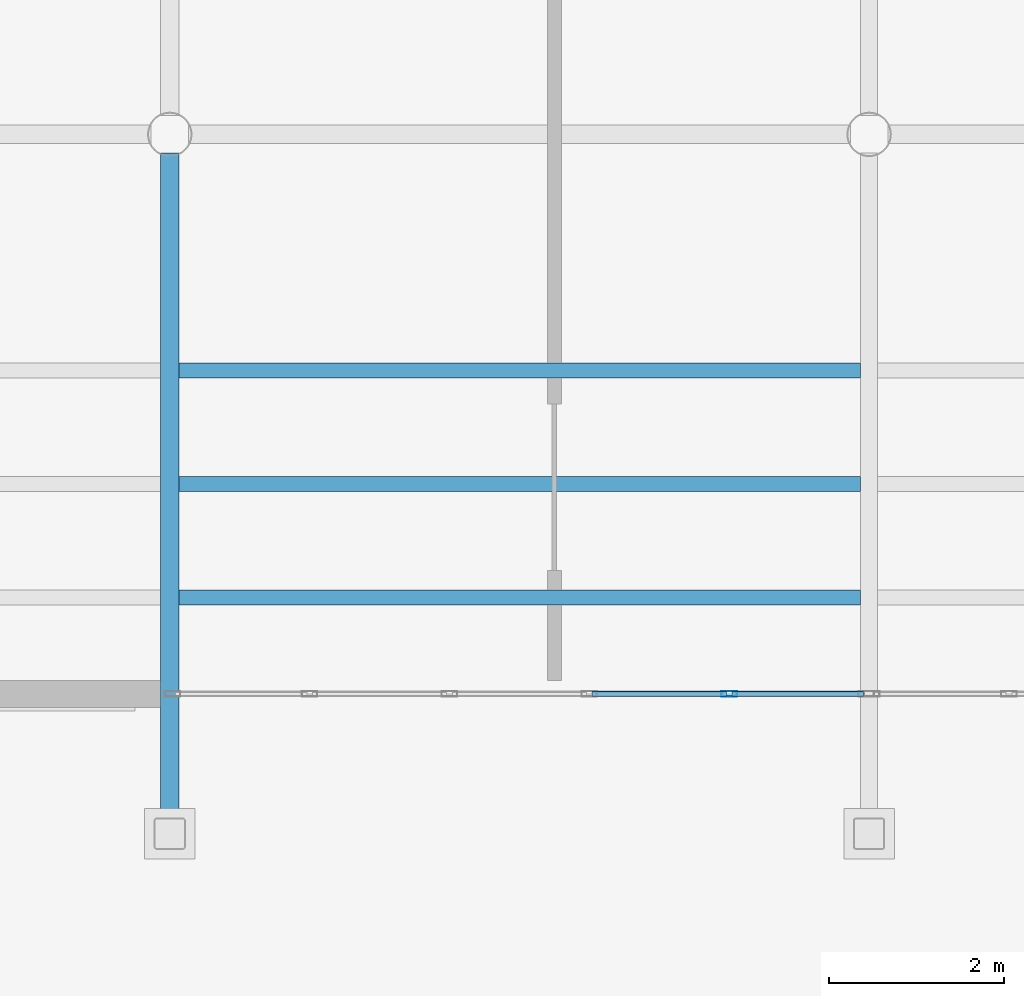
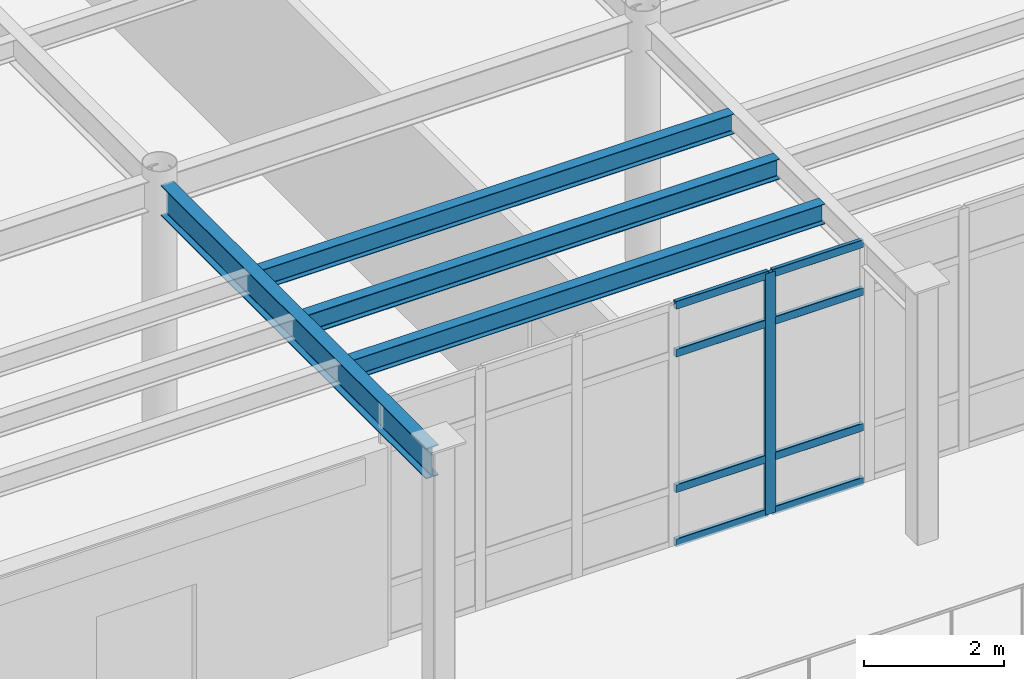
# One storey, part 40 of 111: 9 members, 4 beams, 1 element without a shape of its own.
"""IFC4 building model written with IfcOpenShell, lengths in metres."""

from ifc_helpers import new_model, si_unit, direction, frame, origin, origin_2d, place, context, subcontext, project, spatial, hollow_rectangle, i_section, extrude, material, material_profile, profile_set, type_object, element, aggregate, save


model = new_model("IFC4")

# Units and contexts
model_context = context("Model", 3, precision=1e-05, world=origin(), true_north=direction((0.0, 1.0)))
body_context = subcontext(model_context, "Body", "Model", "MODEL_VIEW")
ifc_project = project(units=[si_unit("LENGTHUNIT", "METRE"), si_unit("AREAUNIT", "SQUARE_METRE"), si_unit("VOLUMEUNIT", "CUBIC_METRE"), si_unit("PLANEANGLEUNIT", "RADIAN"), si_unit("MASSUNIT", "GRAM", prefix="KILO")], contexts=[model_context])

# Site, building, storey
site_placement = place(None, origin())
site = spatial("IfcSite", under=ifc_project, at=site_placement, CompositionType="ELEMENT")
building_placement = place(site_placement, origin())
building = spatial("IfcBuilding", under=site, at=building_placement, Name="Solmirada Galleria", CompositionType="ELEMENT")
storey_placement = place(building_placement, frame((0.0, 0.0, 10.39990234375)))
storey = spatial("IfcBuildingStorey", under=building, at=storey_placement, Name="L02", CompositionType="ELEMENT", Elevation=10.39990234375)

# Beams
ifc_material_1 = material(Name="Steel S355 / ASTM A992 Grade 50", Category="steel")
ifc_material_profile_1 = material_profile(ifc_material_1, i_section(OverallWidth=0.2099609375, OverallDepth=0.537109375, WebThickness=0.010986328125, FlangeThickness=0.017333984375, FilletRadius=0.014892578125, at=origin_2d()), Name="W21X68")
ifc_profile_set_1 = profile_set([ifc_material_profile_1], Name="Steel S355 / ASTM A992 Grade 50")
beam_type_1 = type_object("IfcBeamType", Name="BM-GIRD-W21B", PredefinedType="BEAM", material=ifc_profile_set_1)
beam_1_placement = place(storey_placement, frame((64.0, 80.177978515625, 3.99169921875), z_axis=(0.0, 1.0, 0.0), x_axis=(-1.0, 0.0, 0.0)))
element("IfcBeam", 1, at=beam_1_placement, inside=storey, type_object=beam_type_1, Name="Primary girder L03 Y(64, 80..88)", PredefinedType="BEAM", context=body_context, shape_type="SweptSolid", body=[
    extrude(i_section(OverallWidth=0.2099609375, OverallDepth=0.537109375, WebThickness=0.010986328125, FlangeThickness=0.017333984375, FilletRadius=0.014892578125, at=origin_2d()), origin(), (0.0, 0.0, 1.0), 7.608642578125),
])
ifc_material_profile_2 = material_profile(ifc_material_1, i_section(OverallWidth=0.172119140625, OverallDepth=0.35791015625, WebThickness=0.0078125, FlangeThickness=0.01318359375, FilletRadius=0.011962890625, at=origin_2d()), Name="W14X38")
ifc_profile_set_2 = profile_set([ifc_material_profile_2], Name="Steel S355 / ASTM A992 Grade 50")
beam_type_2 = type_object("IfcBeamType", Name="BM-JST-W14A", PredefinedType="JOIST", material=ifc_profile_set_2)
beam_2_placement = place(storey_placement, frame((64.10498046875, 84.0, 4.0810546875), z_axis=(1.0, 0.0, 0.0), x_axis=(0.0, 1.0, 0.0)))
element("IfcBeam", 2, at=beam_2_placement, inside=storey, type_object=beam_type_2, Name="Composite floor joist L03 (64..72, 84.0)", PredefinedType="JOIST", context=body_context, shape_type="SweptSolid", body=[
    extrude(i_section(OverallWidth=0.172119140625, OverallDepth=0.35791015625, WebThickness=0.0078125, FlangeThickness=0.01318359375, FilletRadius=0.011962890625, at=origin_2d()), origin(), (0.0, 0.0, 1.0), 7.798095703125),
])
ifc_material_profile_3 = material_profile(ifc_material_1, i_section(OverallWidth=0.1708984375, OverallDepth=0.35205078125, WebThickness=0.0068359375, FlangeThickness=0.009765625, FilletRadius=0.010986328125, at=origin_2d()), Name="W14X30")
ifc_profile_set_3 = profile_set([ifc_material_profile_3], Name="Steel S355 / ASTM A992 Grade 50")
beam_type_3 = type_object("IfcBeamType", Name="BM-JST-W14B", PredefinedType="JOIST", material=ifc_profile_set_3)
for number, where, z_axis, x_axis, name in (
    (3, (64.10498046875, 82.699951171875, 4.083984375), (1.0, 0.0, 0.0), (0.0, 1.0, 0.0), "Terrace deck joist L03-TERR-NW X=64..72 (1)"),
    (4, (64.10498046875, 85.300048828125, 4.083984375), (1.0, 0.0, 0.0), (0.0, 1.0, 0.0), "Terrace deck joist L03-TERR-NW X=64..72 (2)"),
):
    element("IfcBeam", number, at=place(storey_placement, frame(where, z_axis=z_axis, x_axis=x_axis)), inside=storey, type_object=beam_type_3, Name=name, PredefinedType="JOIST", context=body_context, shape_type="SweptSolid", body=[
        extrude(i_section(OverallWidth=0.1708984375, OverallDepth=0.35205078125, WebThickness=0.0068359375, FlangeThickness=0.009765625, FilletRadius=0.010986328125, at=origin_2d()), origin(), (0.0, 0.0, 1.0), 7.798095703125),
    ])

# Curtain wall, members
ifc_material_2 = material(Name="Impact-resistant low-E double glazing", Category="glass")
curtain_wall_type = type_object("IfcCurtainWallType", Name="CW-FZ4-L02-B5-L080", PredefinedType="NOTDEFINED", material=ifc_material_2)
curtain_wall_placement = place(storey_placement, origin())
curtain_wall = element("IfcCurtainWall", 5, at=curtain_wall_placement, inside=storey, type_object=curtain_wall_type, Name="Terrace and arcade storefront CW-L02-090", PredefinedType="NOTDEFINED")
ifc_material_3 = material(Name="Anodised aluminium framing", Category="aluminium")
ifc_material_profile_4 = material_profile(ifc_material_3, hollow_rectangle(XDim=0.06494140625, YDim=0.179931640625, WallThickness=0.00390625, InnerFilletRadius=0.00390625, OuterFilletRadius=0.008056640625, at=origin_2d()), Name="ALU-MULL-180X65")
ifc_profile_set_4 = profile_set([ifc_material_profile_4], Name="Anodised aluminium framing")
member_type_1 = type_object("IfcMemberType", Name="CW-MULL-180", PredefinedType="MULLION", material=ifc_profile_set_4)
member_1_placement = place(storey_placement, frame((70.39990234375, 81.60009765625, 0.0), z_axis=(0.0, 0.0, 1.0), x_axis=(0.0, -1.0, 0.0)))
member_1 = element("IfcMember", 6, at=member_1_placement, type_object=member_type_1, Name="CW22 mullion 2", PredefinedType="MULLION", context=body_context, shape_type="SweptSolid", body=[
    extrude(hollow_rectangle(XDim=0.06494140625, YDim=0.179931640625, WallThickness=0.00390625, InnerFilletRadius=0.00390625, OuterFilletRadius=0.008056640625, at=origin_2d()), origin(), (0.0, 0.0, 1.0), 4.22021484375),
])
ifc_material_profile_5 = material_profile(ifc_material_3, hollow_rectangle(XDim=0.06494140625, YDim=0.139892578125, WallThickness=0.00341796875, InnerFilletRadius=0.00341796875, OuterFilletRadius=0.007080078125, at=origin_2d()), Name="ALU-TRAN-140X65")
ifc_profile_set_5 = profile_set([ifc_material_profile_5], Name="Anodised aluminium framing")
member_type_2 = type_object("IfcMemberType", Name="CW-TRAN-140", PredefinedType="USERDEFINED", material=ifc_profile_set_5)
member_2_placement = place(storey_placement, frame((71.93505859375, 81.60009765625, 0.03271484375), z_axis=(-1.0, 0.0, 0.0), x_axis=(0.0, -1.0, 0.0)))
member_2 = element("IfcMember", 7, at=member_2_placement, type_object=member_type_2, Name="CW22 transom 1.1", ObjectType="TRANSOM", PredefinedType="USERDEFINED", context=body_context, shape_type="SweptSolid", body=[
    extrude(hollow_rectangle(XDim=0.06494140625, YDim=0.139892578125, WallThickness=0.00341796875, InnerFilletRadius=0.00341796875, OuterFilletRadius=0.007080078125, at=origin_2d()), origin(), (0.0, 0.0, 1.0), 1.50244140625),
])
member_3_placement = place(storey_placement, frame((71.93505859375, 81.60009765625, 0.97998046875), z_axis=(-1.0, 0.0, 0.0), x_axis=(0.0, -1.0, 0.0)))
member_3 = element("IfcMember", 8, at=member_3_placement, type_object=member_type_2, Name="CW22 transom 1.2", ObjectType="TRANSOM", PredefinedType="USERDEFINED", context=body_context, shape_type="SweptSolid", body=[
    extrude(hollow_rectangle(XDim=0.06494140625, YDim=0.139892578125, WallThickness=0.00341796875, InnerFilletRadius=0.00341796875, OuterFilletRadius=0.007080078125, at=origin_2d()), origin(), (0.0, 0.0, 1.0), 1.50244140625),
])
member_4_placement = place(storey_placement, frame((71.93505859375, 81.60009765625, 3.35009765625), z_axis=(-1.0, 0.0, 0.0), x_axis=(0.0, -1.0, 0.0)))
member_4 = element("IfcMember", 9, at=member_4_placement, type_object=member_type_2, Name="CW22 transom 1.3", ObjectType="TRANSOM", PredefinedType="USERDEFINED", context=body_context, shape_type="SweptSolid", body=[
    extrude(hollow_rectangle(XDim=0.06494140625, YDim=0.139892578125, WallThickness=0.00341796875, InnerFilletRadius=0.00341796875, OuterFilletRadius=0.007080078125, at=origin_2d()), origin(), (0.0, 0.0, 1.0), 1.50244140625),
])
member_5_placement = place(storey_placement, frame((71.93505859375, 81.60009765625, 4.1875), z_axis=(-1.0, 0.0, 0.0), x_axis=(0.0, -1.0, 0.0)))
member_5 = element("IfcMember", 10, at=member_5_placement, type_object=member_type_2, Name="CW22 transom 1.4", ObjectType="TRANSOM", PredefinedType="USERDEFINED", context=body_context, shape_type="SweptSolid", body=[
    extrude(hollow_rectangle(XDim=0.06494140625, YDim=0.139892578125, WallThickness=0.00341796875, InnerFilletRadius=0.00341796875, OuterFilletRadius=0.007080078125, at=origin_2d()), origin(), (0.0, 0.0, 1.0), 1.50244140625),
])
member_6_placement = place(storey_placement, frame((70.367431640625, 81.60009765625, 0.03271484375), z_axis=(-1.0, 0.0, 0.0), x_axis=(0.0, -1.0, 0.0)))
member_6 = element("IfcMember", 11, at=member_6_placement, type_object=member_type_2, Name="CW22 transom 2.1", ObjectType="TRANSOM", PredefinedType="USERDEFINED", context=body_context, shape_type="SweptSolid", body=[
    extrude(hollow_rectangle(XDim=0.06494140625, YDim=0.139892578125, WallThickness=0.00341796875, InnerFilletRadius=0.00341796875, OuterFilletRadius=0.007080078125, at=origin_2d()), origin(), (0.0, 0.0, 1.0), 1.534912109375),
])
member_7_placement = place(storey_placement, frame((70.367431640625, 81.60009765625, 0.97998046875), z_axis=(-1.0, 0.0, 0.0), x_axis=(0.0, -1.0, 0.0)))
member_7 = element("IfcMember", 12, at=member_7_placement, type_object=member_type_2, Name="CW22 transom 2.2", ObjectType="TRANSOM", PredefinedType="USERDEFINED", context=body_context, shape_type="SweptSolid", body=[
    extrude(hollow_rectangle(XDim=0.06494140625, YDim=0.139892578125, WallThickness=0.00341796875, InnerFilletRadius=0.00341796875, OuterFilletRadius=0.007080078125, at=origin_2d()), origin(), (0.0, 0.0, 1.0), 1.534912109375),
])
member_8_placement = place(storey_placement, frame((70.367431640625, 81.60009765625, 3.35009765625), z_axis=(-1.0, 0.0, 0.0), x_axis=(0.0, -1.0, 0.0)))
member_8 = element("IfcMember", 13, at=member_8_placement, type_object=member_type_2, Name="CW22 transom 2.3", ObjectType="TRANSOM", PredefinedType="USERDEFINED", context=body_context, shape_type="SweptSolid", body=[
    extrude(hollow_rectangle(XDim=0.06494140625, YDim=0.139892578125, WallThickness=0.00341796875, InnerFilletRadius=0.00341796875, OuterFilletRadius=0.007080078125, at=origin_2d()), origin(), (0.0, 0.0, 1.0), 1.534912109375),
])
member_9_placement = place(storey_placement, frame((70.367431640625, 81.60009765625, 4.1875), z_axis=(-1.0, 0.0, 0.0), x_axis=(0.0, -1.0, 0.0)))
member_9 = element("IfcMember", 14, at=member_9_placement, type_object=member_type_2, Name="CW22 transom 2.4", ObjectType="TRANSOM", PredefinedType="USERDEFINED", context=body_context, shape_type="SweptSolid", body=[
    extrude(hollow_rectangle(XDim=0.06494140625, YDim=0.139892578125, WallThickness=0.00341796875, InnerFilletRadius=0.00341796875, OuterFilletRadius=0.007080078125, at=origin_2d()), origin(), (0.0, 0.0, 1.0), 1.534912109375),
])
aggregate(curtain_wall, [member_1, member_2, member_3, member_4, member_5, member_6, member_7, member_8, member_9])

save(model, "model.ifc")
